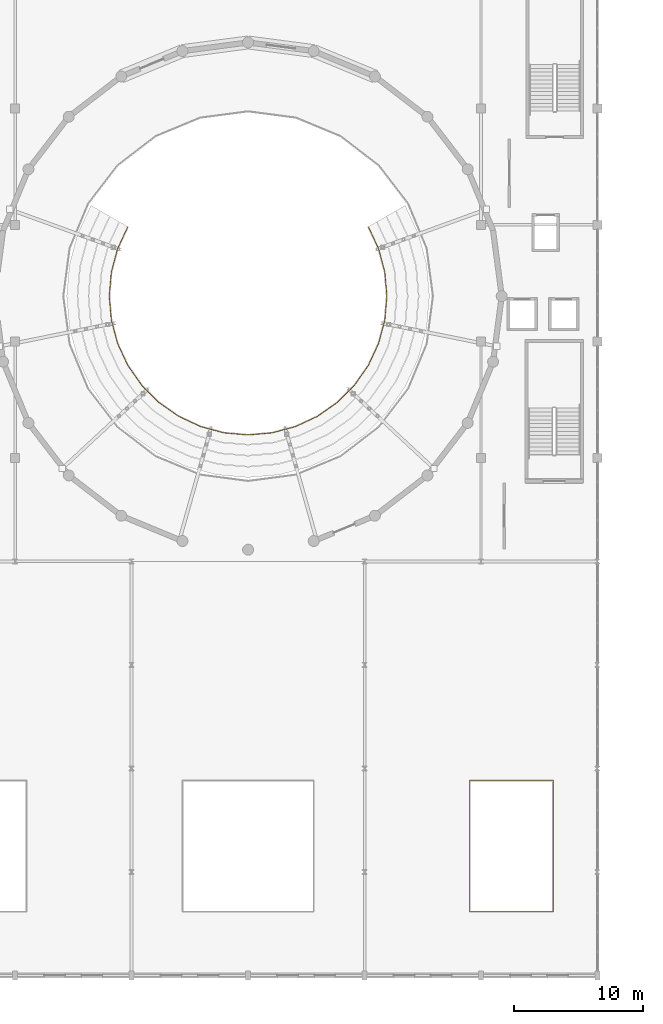
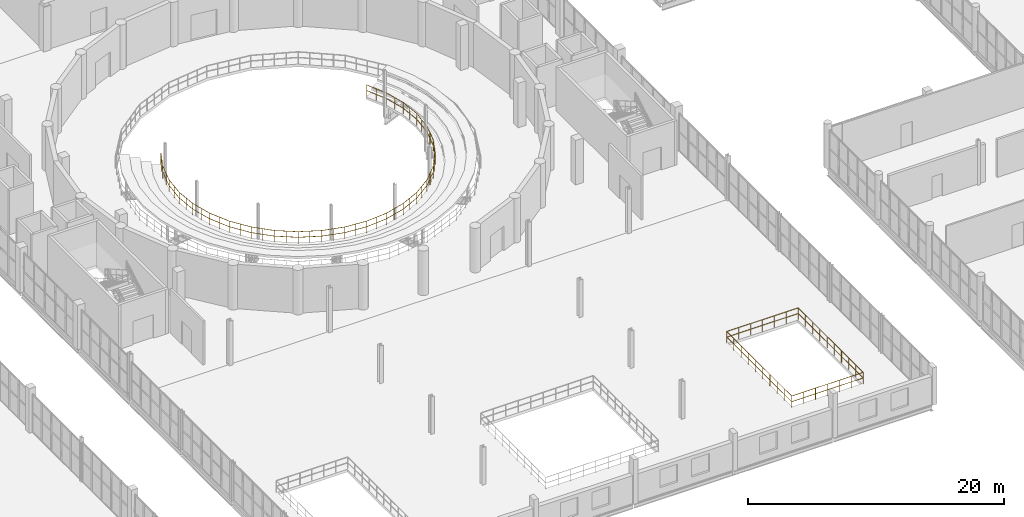
# One storey, part 67 of 73: 2 railings.
"""IFC4 building model written with IfcOpenShell, lengths in metres."""

from ifc_helpers import new_model, si_unit, direction, frame, origin, origin_2d, place, context, subcontext, project, spatial, circle, extrude, material, type_object, element, save


model = new_model("IFC4")

# Units and contexts
model_context = context("Model", 3, precision=1e-05, world=origin(), true_north=direction((0.0, 1.0)))
body_context = subcontext(model_context, "Body", "Model", "MODEL_VIEW")
ifc_project = project(units=[si_unit("LENGTHUNIT", "METRE"), si_unit("AREAUNIT", "SQUARE_METRE"), si_unit("VOLUMEUNIT", "CUBIC_METRE"), si_unit("PLANEANGLEUNIT", "RADIAN"), si_unit("MASSUNIT", "GRAM", prefix="KILO")], contexts=[model_context])

# Site, building, storey
site_placement = place(None, origin())
site = spatial("IfcSite", under=ifc_project, at=site_placement, CompositionType="ELEMENT")
building_placement = place(site_placement, origin())
building = spatial("IfcBuilding", under=site, at=building_placement, Name="Marnock Terrace Opera House", CompositionType="ELEMENT")
storey_placement = place(building_placement, frame((0.0, 0.0, 14.699951171875)))
storey = spatial("IfcBuildingStorey", under=building, at=storey_placement, Name="L03", CompositionType="ELEMENT", Elevation=14.699951171875)

# Railings
ifc_material = material(Name="Architectural bronze balustrade")
railing_type = type_object("IfcRailingType", Name="RL-ATRIUM-1120", PredefinedType="BALUSTRADE", material=ifc_material)
railing_1_placement = place(storey_placement, frame((99.1201171875, 12.919921875, 0.0)))
element("IfcRailing", 1, at=railing_1_placement, inside=storey, type_object=railing_type, Name="L03 floor opening balustrade ATR-3", PredefinedType="BALUSTRADE", context=body_context, shape_type="SweptSolid", body=[
    extrude(circle(Radius=0.02392578125, at=origin_2d()), frame((0.0, 0.0, 1.09619140625), z_axis=(1.0, 0.0, 0.0), x_axis=(0.0, 1.0, 0.0)), (0.0, 0.0, 1.0), 6.4599609375),
    extrude(circle(Radius=0.02392578125, at=origin_2d()), frame((0.0, 0.0, 0.56005859375), z_axis=(1.0, 0.0, 0.0), x_axis=(0.0, 1.0, 0.0)), (0.0, 0.0, 1.0), 6.4599609375),
    extrude(circle(Radius=0.02392578125, at=origin_2d()), frame((6.4599609375, 0.0, 1.09619140625), z_axis=(0.0, 1.0, 0.0), x_axis=(-1.0, 0.0, 0.0)), (0.0, 0.0, 1.0), 10.16015625),
    extrude(circle(Radius=0.02392578125, at=origin_2d()), frame((6.4599609375, 0.0, 0.56005859375), z_axis=(0.0, 1.0, 0.0), x_axis=(-1.0, 0.0, 0.0)), (0.0, 0.0, 1.0), 10.16015625),
    extrude(circle(Radius=0.02392578125, at=origin_2d()), frame((6.4599609375, 10.16015625, 1.09619140625), z_axis=(-1.0, 0.0, 0.0), x_axis=(0.0, -1.0, 0.0)), (0.0, 0.0, 1.0), 6.4599609375),
    extrude(circle(Radius=0.02392578125, at=origin_2d()), frame((6.4599609375, 10.16015625, 0.56005859375), z_axis=(-1.0, 0.0, 0.0), x_axis=(0.0, -1.0, 0.0)), (0.0, 0.0, 1.0), 6.4599609375),
    extrude(circle(Radius=0.02392578125, at=origin_2d()), frame((0.0, 10.16015625, 1.09619140625), z_axis=(0.0, -1.0, 0.0), x_axis=(1.0, 0.0, 0.0)), (0.0, 0.0, 1.0), 10.16015625),
    extrude(circle(Radius=0.02392578125, at=origin_2d()), frame((0.0, 10.16015625, 0.56005859375), z_axis=(0.0, -1.0, 0.0), x_axis=(1.0, 0.0, 0.0)), (0.0, 0.0, 1.0), 10.16015625),
    extrude(circle(Radius=0.02099609375, at=origin_2d()), origin(), (0.0, 0.0, 1.0), 1.072021484375),
    extrude(circle(Radius=0.02099609375, at=origin_2d()), frame((1.07666015625, 0.0, 0.0)), (0.0, 0.0, 1.0), 1.072021484375),
    extrude(circle(Radius=0.02099609375, at=origin_2d()), frame((2.1533203125, 0.0, 0.0)), (0.0, 0.0, 1.0), 1.072021484375),
    extrude(circle(Radius=0.02099609375, at=origin_2d()), frame((3.22998046875, 0.0, 0.0)), (0.0, 0.0, 1.0), 1.072021484375),
    extrude(circle(Radius=0.02099609375, at=origin_2d()), frame((4.306640625, 0.0, 0.0)), (0.0, 0.0, 1.0), 1.072021484375),
    extrude(circle(Radius=0.02099609375, at=origin_2d()), frame((5.38330078125, 0.0, 0.0)), (0.0, 0.0, 1.0), 1.072021484375),
    extrude(circle(Radius=0.02099609375, at=origin_2d()), frame((6.4599609375, 0.0, 0.0)), (0.0, 0.0, 1.0), 1.072021484375),
    extrude(circle(Radius=0.02099609375, at=origin_2d()), frame((6.4599609375, 1.12890625, 0.0)), (0.0, 0.0, 1.0), 1.072021484375),
    extrude(circle(Radius=0.02099609375, at=origin_2d()), frame((6.4599609375, 2.2578125, 0.0)), (0.0, 0.0, 1.0), 1.072021484375),
    extrude(circle(Radius=0.02099609375, at=origin_2d()), frame((6.4599609375, 3.38671875, 0.0)), (0.0, 0.0, 1.0), 1.072021484375),
    extrude(circle(Radius=0.02099609375, at=origin_2d()), frame((6.4599609375, 4.515625, 0.0)), (0.0, 0.0, 1.0), 1.072021484375),
    extrude(circle(Radius=0.02099609375, at=origin_2d()), frame((6.4599609375, 5.64453125, 0.0)), (0.0, 0.0, 1.0), 1.072021484375),
    extrude(circle(Radius=0.02099609375, at=origin_2d()), frame((6.4599609375, 6.7734375, 0.0)), (0.0, 0.0, 1.0), 1.072021484375),
    extrude(circle(Radius=0.02099609375, at=origin_2d()), frame((6.4599609375, 7.90234375, 0.0)), (0.0, 0.0, 1.0), 1.072021484375),
    extrude(circle(Radius=0.02099609375, at=origin_2d()), frame((6.4599609375, 9.03125, 0.0)), (0.0, 0.0, 1.0), 1.072021484375),
    extrude(circle(Radius=0.02099609375, at=origin_2d()), frame((6.4599609375, 10.16015625, 0.0)), (0.0, 0.0, 1.0), 1.072021484375),
    extrude(circle(Radius=0.02099609375, at=origin_2d()), frame((5.38330078125, 10.16015625, 0.0)), (0.0, 0.0, 1.0), 1.072021484375),
    extrude(circle(Radius=0.02099609375, at=origin_2d()), frame((4.306640625, 10.16015625, 0.0)), (0.0, 0.0, 1.0), 1.072021484375),
    extrude(circle(Radius=0.02099609375, at=origin_2d()), frame((3.22998046875, 10.16015625, 0.0)), (0.0, 0.0, 1.0), 1.072021484375),
    extrude(circle(Radius=0.02099609375, at=origin_2d()), frame((2.1533203125, 10.16015625, 0.0)), (0.0, 0.0, 1.0), 1.072021484375),
    extrude(circle(Radius=0.02099609375, at=origin_2d()), frame((1.07666015625, 10.16015625, 0.0)), (0.0, 0.0, 1.0), 1.072021484375),
    extrude(circle(Radius=0.02099609375, at=origin_2d()), frame((0.0, 10.16015625, 0.0)), (0.0, 0.0, 1.0), 1.072021484375),
    extrude(circle(Radius=0.02099609375, at=origin_2d()), frame((0.0, 9.03125, 0.0)), (0.0, 0.0, 1.0), 1.072021484375),
    extrude(circle(Radius=0.02099609375, at=origin_2d()), frame((0.0, 7.90234375, 0.0)), (0.0, 0.0, 1.0), 1.072021484375),
    extrude(circle(Radius=0.02099609375, at=origin_2d()), frame((0.0, 6.7734375, 0.0)), (0.0, 0.0, 1.0), 1.072021484375),
    extrude(circle(Radius=0.02099609375, at=origin_2d()), frame((0.0, 5.64453125, 0.0)), (0.0, 0.0, 1.0), 1.072021484375),
    extrude(circle(Radius=0.02099609375, at=origin_2d()), frame((0.0, 4.515625, 0.0)), (0.0, 0.0, 1.0), 1.072021484375),
    extrude(circle(Radius=0.02099609375, at=origin_2d()), frame((0.0, 3.38671875, 0.0)), (0.0, 0.0, 1.0), 1.072021484375),
    extrude(circle(Radius=0.02099609375, at=origin_2d()), frame((0.0, 2.2578125, 0.0)), (0.0, 0.0, 1.0), 1.072021484375),
    extrude(circle(Radius=0.02099609375, at=origin_2d()), frame((0.0, 1.12890625, 0.0)), (0.0, 0.0, 1.0), 1.072021484375),
])
railing_2_placement = place(storey_placement, frame((72.70751953125, 65.864990234375, 0.35009765625)))
element("IfcRailing", 2, at=railing_2_placement, inside=storey, type_object=railing_type, Name="L03 floor opening balustrade TIER-FRONT-L03", PredefinedType="BALUSTRADE", context=body_context, shape_type="SweptSolid", body=[
    extrude(circle(Radius=0.02392578125, at=origin_2d()), frame((0.0, 0.0, 1.09619140625), z_axis=(-0.422663928723, -0.906286490773, 0.0), x_axis=(0.906286490773, -0.422663928723, 0.0)), (0.0, 0.0, 1.0), 1.870361328125),
    extrude(circle(Radius=0.02392578125, at=origin_2d()), frame((0.0, 0.0, 0.56005859375), z_axis=(-0.422663928723, -0.906286490773, 0.0), x_axis=(0.906286490773, -0.422663928723, 0.0)), (0.0, 0.0, 1.0), 1.870361328125),
    extrude(circle(Radius=0.02392578125, at=origin_2d()), frame((-0.79052734375, -1.695068359375, 1.09619140625), z_axis=(-0.258718685807, -0.965952711893, 0.0), x_axis=(0.965952711893, -0.258718685807, 0.0)), (0.0, 0.0, 1.0), 1.870361328125),
    extrude(circle(Radius=0.02392578125, at=origin_2d()), frame((-0.79052734375, -1.695068359375, 0.56005859375), z_axis=(-0.258718685807, -0.965952711893, 0.0), x_axis=(0.965952711893, -0.258718685807, 0.0)), (0.0, 0.0, 1.0), 1.870361328125),
    extrude(circle(Radius=0.02392578125, at=origin_2d()), frame((-1.2744140625, -3.501708984375, 1.09619140625), z_axis=(-0.087192857545, -0.996191450271, 0.0), x_axis=(0.996191450271, -0.087192857545, 0.0)), (0.0, 0.0, 1.0), 1.870361328125),
    extrude(circle(Radius=0.02392578125, at=origin_2d()), frame((-1.2744140625, -3.501708984375, 0.56005859375), z_axis=(-0.087192857545, -0.996191450271, 0.0), x_axis=(0.996191450271, -0.087192857545, 0.0)), (0.0, 0.0, 1.0), 1.870361328125),
    extrude(circle(Radius=0.02392578125, at=origin_2d()), frame((-1.4375, -5.364990234375, 1.09619140625), z_axis=(0.087192857545, -0.996191450271, 0.0), x_axis=(0.996191450271, 0.087192857545, 0.0)), (0.0, 0.0, 1.0), 1.870361328125),
    extrude(circle(Radius=0.02392578125, at=origin_2d()), frame((-1.4375, -5.364990234375, 0.56005859375), z_axis=(0.087192857545, -0.996191450271, 0.0), x_axis=(0.996191450271, 0.087192857545, 0.0)), (0.0, 0.0, 1.0), 1.870361328125),
    extrude(circle(Radius=0.02392578125, at=origin_2d()), frame((-1.2744140625, -7.228271484375, 1.09619140625), z_axis=(0.258718685807, -0.965952711893, 0.0), x_axis=(0.965952711893, 0.258718685807, 0.0)), (0.0, 0.0, 1.0), 1.870361328125),
    extrude(circle(Radius=0.02392578125, at=origin_2d()), frame((-1.2744140625, -7.228271484375, 0.56005859375), z_axis=(0.258718685807, -0.965952711893, 0.0), x_axis=(0.965952711893, 0.258718685807, 0.0)), (0.0, 0.0, 1.0), 1.870361328125),
    extrude(circle(Radius=0.02392578125, at=origin_2d()), frame((-0.79052734375, -9.034912109375, 1.09619140625), z_axis=(0.422663928723, -0.906286490773, 0.0), x_axis=(0.906286490773, 0.422663928723, 0.0)), (0.0, 0.0, 1.0), 1.870361328125),
    extrude(circle(Radius=0.02392578125, at=origin_2d()), frame((-0.79052734375, -9.034912109375, 0.56005859375), z_axis=(0.422663928723, -0.906286490773, 0.0), x_axis=(0.906286490773, 0.422663928723, 0.0)), (0.0, 0.0, 1.0), 1.870361328125),
    extrude(circle(Radius=0.02392578125, at=origin_2d()), frame((0.0, -10.72998046875, 1.09619140625), z_axis=(0.573532423483, -0.819182860669, 0.0), x_axis=(0.819182860669, 0.573532423483, 0.0)), (0.0, 0.0, 1.0), 1.870361328125),
    extrude(circle(Radius=0.02392578125, at=origin_2d()), frame((0.0, -10.72998046875, 0.56005859375), z_axis=(0.573532423483, -0.819182860669, 0.0), x_axis=(0.819182860669, 0.573532423483, 0.0)), (0.0, 0.0, 1.0), 1.870361328125),
    extrude(circle(Radius=0.02392578125, at=origin_2d()), frame((1.07275390625, -12.26220703125, 1.09619140625), z_axis=(0.707106781187, -0.707106781187, 0.0), x_axis=(0.707106781187, 0.707106781187, 0.0)), (0.0, 0.0, 1.0), 1.870361328125),
    extrude(circle(Radius=0.02392578125, at=origin_2d()), frame((1.07275390625, -12.26220703125, 0.56005859375), z_axis=(0.707106781187, -0.707106781187, 0.0), x_axis=(0.707106781187, 0.707106781187, 0.0)), (0.0, 0.0, 1.0), 1.870361328125),
    extrude(circle(Radius=0.02392578125, at=origin_2d()), frame((2.395263671875, -13.584716796875, 1.09619140625), z_axis=(0.819182860669, -0.573532423483, 0.0), x_axis=(0.573532423483, 0.819182860669, 0.0)), (0.0, 0.0, 1.0), 1.870361328125),
    extrude(circle(Radius=0.02392578125, at=origin_2d()), frame((2.395263671875, -13.584716796875, 0.56005859375), z_axis=(0.819182860669, -0.573532423483, 0.0), x_axis=(0.573532423483, 0.819182860669, 0.0)), (0.0, 0.0, 1.0), 1.870361328125),
    extrude(circle(Radius=0.02392578125, at=origin_2d()), frame((3.927490234375, -14.657470703125, 1.09619140625), z_axis=(0.906286490773, -0.422663928723, 0.0), x_axis=(0.422663928723, 0.906286490773, 0.0)), (0.0, 0.0, 1.0), 1.870361328125),
    extrude(circle(Radius=0.02392578125, at=origin_2d()), frame((3.927490234375, -14.657470703125, 0.56005859375), z_axis=(0.906286490773, -0.422663928723, 0.0), x_axis=(0.422663928723, 0.906286490773, 0.0)), (0.0, 0.0, 1.0), 1.870361328125),
    extrude(circle(Radius=0.02392578125, at=origin_2d()), frame((5.62255859375, -15.447998046875, 1.09619140625), z_axis=(0.965952711893, -0.258718685807, 0.0), x_axis=(0.258718685807, 0.965952711893, 0.0)), (0.0, 0.0, 1.0), 1.870361328125),
    extrude(circle(Radius=0.02392578125, at=origin_2d()), frame((5.62255859375, -15.447998046875, 0.56005859375), z_axis=(0.965952711893, -0.258718685807, 0.0), x_axis=(0.258718685807, 0.965952711893, 0.0)), (0.0, 0.0, 1.0), 1.870361328125),
    extrude(circle(Radius=0.02392578125, at=origin_2d()), frame((7.42919921875, -15.931884765625, 1.09619140625), z_axis=(0.996191450271, -0.087192857545, 0.0), x_axis=(0.087192857545, 0.996191450271, 0.0)), (0.0, 0.0, 1.0), 1.870361328125),
    extrude(circle(Radius=0.02392578125, at=origin_2d()), frame((7.42919921875, -15.931884765625, 0.56005859375), z_axis=(0.996191450271, -0.087192857545, 0.0), x_axis=(0.087192857545, 0.996191450271, 0.0)), (0.0, 0.0, 1.0), 1.870361328125),
    extrude(circle(Radius=0.02392578125, at=origin_2d()), frame((9.29248046875, -16.094970703125, 1.09619140625), z_axis=(0.996191450271, 0.087192857545, 0.0), x_axis=(-0.087192857545, 0.996191450271, 0.0)), (0.0, 0.0, 1.0), 1.870361328125),
    extrude(circle(Radius=0.02392578125, at=origin_2d()), frame((9.29248046875, -16.094970703125, 0.56005859375), z_axis=(0.996191450271, 0.087192857545, 0.0), x_axis=(-0.087192857545, 0.996191450271, 0.0)), (0.0, 0.0, 1.0), 1.870361328125),
    extrude(circle(Radius=0.02392578125, at=origin_2d()), frame((11.15576171875, -15.931884765625, 1.09619140625), z_axis=(0.965952711893, 0.258718685807, 0.0), x_axis=(-0.258718685807, 0.965952711893, 0.0)), (0.0, 0.0, 1.0), 1.870361328125),
    extrude(circle(Radius=0.02392578125, at=origin_2d()), frame((11.15576171875, -15.931884765625, 0.56005859375), z_axis=(0.965952711893, 0.258718685807, 0.0), x_axis=(-0.258718685807, 0.965952711893, 0.0)), (0.0, 0.0, 1.0), 1.870361328125),
    extrude(circle(Radius=0.02392578125, at=origin_2d()), frame((12.96240234375, -15.447998046875, 1.09619140625), z_axis=(0.906286490773, 0.422663928723, 0.0), x_axis=(-0.422663928723, 0.906286490773, 0.0)), (0.0, 0.0, 1.0), 1.870361328125),
    extrude(circle(Radius=0.02392578125, at=origin_2d()), frame((12.96240234375, -15.447998046875, 0.56005859375), z_axis=(0.906286490773, 0.422663928723, 0.0), x_axis=(-0.422663928723, 0.906286490773, 0.0)), (0.0, 0.0, 1.0), 1.870361328125),
    extrude(circle(Radius=0.02392578125, at=origin_2d()), frame((14.657470703125, -14.657470703125, 1.09619140625), z_axis=(0.819182860669, 0.573532423483, 0.0), x_axis=(-0.573532423483, 0.819182860669, 0.0)), (0.0, 0.0, 1.0), 1.870361328125),
    extrude(circle(Radius=0.02392578125, at=origin_2d()), frame((14.657470703125, -14.657470703125, 0.56005859375), z_axis=(0.819182860669, 0.573532423483, 0.0), x_axis=(-0.573532423483, 0.819182860669, 0.0)), (0.0, 0.0, 1.0), 1.870361328125),
    extrude(circle(Radius=0.02392578125, at=origin_2d()), frame((16.189697265625, -13.584716796875, 1.09619140625), z_axis=(0.707106781187, 0.707106781187, 0.0), x_axis=(-0.707106781187, 0.707106781187, 0.0)), (0.0, 0.0, 1.0), 1.870361328125),
    extrude(circle(Radius=0.02392578125, at=origin_2d()), frame((16.189697265625, -13.584716796875, 0.56005859375), z_axis=(0.707106781187, 0.707106781187, 0.0), x_axis=(-0.707106781187, 0.707106781187, 0.0)), (0.0, 0.0, 1.0), 1.870361328125),
    extrude(circle(Radius=0.02392578125, at=origin_2d()), frame((17.51220703125, -12.26220703125, 1.09619140625), z_axis=(0.573532423483, 0.819182860669, 0.0), x_axis=(-0.819182860669, 0.573532423483, 0.0)), (0.0, 0.0, 1.0), 1.870361328125),
    extrude(circle(Radius=0.02392578125, at=origin_2d()), frame((17.51220703125, -12.26220703125, 0.56005859375), z_axis=(0.573532423483, 0.819182860669, 0.0), x_axis=(-0.819182860669, 0.573532423483, 0.0)), (0.0, 0.0, 1.0), 1.870361328125),
    extrude(circle(Radius=0.02392578125, at=origin_2d()), frame((18.5849609375, -10.72998046875, 1.09619140625), z_axis=(0.422663928723, 0.906286490773, 0.0), x_axis=(-0.906286490773, 0.422663928723, 0.0)), (0.0, 0.0, 1.0), 1.870361328125),
    extrude(circle(Radius=0.02392578125, at=origin_2d()), frame((18.5849609375, -10.72998046875, 0.56005859375), z_axis=(0.422663928723, 0.906286490773, 0.0), x_axis=(-0.906286490773, 0.422663928723, 0.0)), (0.0, 0.0, 1.0), 1.870361328125),
    extrude(circle(Radius=0.02392578125, at=origin_2d()), frame((19.37548828125, -9.034912109375, 1.09619140625), z_axis=(0.258718685807, 0.965952711893, 0.0), x_axis=(-0.965952711893, 0.258718685807, 0.0)), (0.0, 0.0, 1.0), 1.870361328125),
    extrude(circle(Radius=0.02392578125, at=origin_2d()), frame((19.37548828125, -9.034912109375, 0.56005859375), z_axis=(0.258718685807, 0.965952711893, 0.0), x_axis=(-0.965952711893, 0.258718685807, 0.0)), (0.0, 0.0, 1.0), 1.870361328125),
    extrude(circle(Radius=0.02392578125, at=origin_2d()), frame((19.859375, -7.228271484375, 1.09619140625), z_axis=(0.087192857545, 0.996191450271, 0.0), x_axis=(-0.996191450271, 0.087192857545, 0.0)), (0.0, 0.0, 1.0), 1.870361328125),
    extrude(circle(Radius=0.02392578125, at=origin_2d()), frame((19.859375, -7.228271484375, 0.56005859375), z_axis=(0.087192857545, 0.996191450271, 0.0), x_axis=(-0.996191450271, 0.087192857545, 0.0)), (0.0, 0.0, 1.0), 1.870361328125),
    extrude(circle(Radius=0.02392578125, at=origin_2d()), frame((20.0224609375, -5.364990234375, 1.09619140625), z_axis=(-0.087192857545, 0.996191450271, 0.0), x_axis=(-0.996191450271, -0.087192857545, 0.0)), (0.0, 0.0, 1.0), 1.870361328125),
    extrude(circle(Radius=0.02392578125, at=origin_2d()), frame((20.0224609375, -5.364990234375, 0.56005859375), z_axis=(-0.087192857545, 0.996191450271, 0.0), x_axis=(-0.996191450271, -0.087192857545, 0.0)), (0.0, 0.0, 1.0), 1.870361328125),
    extrude(circle(Radius=0.02392578125, at=origin_2d()), frame((19.859375, -3.501708984375, 1.09619140625), z_axis=(-0.258718685807, 0.965952711893, 0.0), x_axis=(-0.965952711893, -0.258718685807, 0.0)), (0.0, 0.0, 1.0), 1.870361328125),
    extrude(circle(Radius=0.02392578125, at=origin_2d()), frame((19.859375, -3.501708984375, 0.56005859375), z_axis=(-0.258718685807, 0.965952711893, 0.0), x_axis=(-0.965952711893, -0.258718685807, 0.0)), (0.0, 0.0, 1.0), 1.870361328125),
    extrude(circle(Radius=0.02392578125, at=origin_2d()), frame((19.37548828125, -1.695068359375, 1.09619140625), z_axis=(-0.422663928723, 0.906286490773, 0.0), x_axis=(-0.906286490773, -0.422663928723, 0.0)), (0.0, 0.0, 1.0), 1.870361328125),
    extrude(circle(Radius=0.02392578125, at=origin_2d()), frame((19.37548828125, -1.695068359375, 0.56005859375), z_axis=(-0.422663928723, 0.906286490773, 0.0), x_axis=(-0.906286490773, -0.422663928723, 0.0)), (0.0, 0.0, 1.0), 1.870361328125),
    extrude(circle(Radius=0.02099609375, at=origin_2d()), origin(), (0.0, 0.0, 1.0), 1.072021484375),
    extrude(circle(Radius=0.02099609375, at=origin_2d()), frame((-0.395263671875, -0.84765625, 0.0)), (0.0, 0.0, 1.0), 1.072021484375),
    extrude(circle(Radius=0.02099609375, at=origin_2d()), frame((-0.79052734375, -1.695068359375, 0.0)), (0.0, 0.0, 1.0), 1.072021484375),
    extrude(circle(Radius=0.02099609375, at=origin_2d()), frame((-1.032470703125, -2.598388671875, 0.0)), (0.0, 0.0, 1.0), 1.072021484375),
    extrude(circle(Radius=0.02099609375, at=origin_2d()), frame((-1.2744140625, -3.501708984375, 0.0)), (0.0, 0.0, 1.0), 1.072021484375),
    extrude(circle(Radius=0.02099609375, at=origin_2d()), frame((-1.35595703125, -4.433349609375, 0.0)), (0.0, 0.0, 1.0), 1.072021484375),
    extrude(circle(Radius=0.02099609375, at=origin_2d()), frame((-1.4375, -5.364990234375, 0.0)), (0.0, 0.0, 1.0), 1.072021484375),
    extrude(circle(Radius=0.02099609375, at=origin_2d()), frame((-1.35595703125, -6.296630859375, 0.0)), (0.0, 0.0, 1.0), 1.072021484375),
    extrude(circle(Radius=0.02099609375, at=origin_2d()), frame((-1.2744140625, -7.228271484375, 0.0)), (0.0, 0.0, 1.0), 1.072021484375),
    extrude(circle(Radius=0.02099609375, at=origin_2d()), frame((-1.032470703125, -8.131591796875, 0.0)), (0.0, 0.0, 1.0), 1.072021484375),
    extrude(circle(Radius=0.02099609375, at=origin_2d()), frame((-0.79052734375, -9.034912109375, 0.0)), (0.0, 0.0, 1.0), 1.072021484375),
    extrude(circle(Radius=0.02099609375, at=origin_2d()), frame((-0.395263671875, -9.88232421875, 0.0)), (0.0, 0.0, 1.0), 1.072021484375),
    extrude(circle(Radius=0.02099609375, at=origin_2d()), frame((0.0, -10.72998046875, 0.0)), (0.0, 0.0, 1.0), 1.072021484375),
    extrude(circle(Radius=0.02099609375, at=origin_2d()), frame((0.536376953125, -11.49609375, 0.0)), (0.0, 0.0, 1.0), 1.072021484375),
    extrude(circle(Radius=0.02099609375, at=origin_2d()), frame((1.07275390625, -12.26220703125, 0.0)), (0.0, 0.0, 1.0), 1.072021484375),
    extrude(circle(Radius=0.02099609375, at=origin_2d()), frame((1.73388671875, -12.92333984375, 0.0)), (0.0, 0.0, 1.0), 1.072021484375),
    extrude(circle(Radius=0.02099609375, at=origin_2d()), frame((2.395263671875, -13.584716796875, 0.0)), (0.0, 0.0, 1.0), 1.072021484375),
    extrude(circle(Radius=0.02099609375, at=origin_2d()), frame((3.161376953125, -14.12109375, 0.0)), (0.0, 0.0, 1.0), 1.072021484375),
    extrude(circle(Radius=0.02099609375, at=origin_2d()), frame((3.927490234375, -14.657470703125, 0.0)), (0.0, 0.0, 1.0), 1.072021484375),
    extrude(circle(Radius=0.02099609375, at=origin_2d()), frame((4.77490234375, -15.052734375, 0.0)), (0.0, 0.0, 1.0), 1.072021484375),
    extrude(circle(Radius=0.02099609375, at=origin_2d()), frame((5.62255859375, -15.447998046875, 0.0)), (0.0, 0.0, 1.0), 1.072021484375),
    extrude(circle(Radius=0.02099609375, at=origin_2d()), frame((6.52587890625, -15.68994140625, 0.0)), (0.0, 0.0, 1.0), 1.072021484375),
    extrude(circle(Radius=0.02099609375, at=origin_2d()), frame((7.42919921875, -15.931884765625, 0.0)), (0.0, 0.0, 1.0), 1.072021484375),
    extrude(circle(Radius=0.02099609375, at=origin_2d()), frame((8.36083984375, -16.013427734375, 0.0)), (0.0, 0.0, 1.0), 1.072021484375),
    extrude(circle(Radius=0.02099609375, at=origin_2d()), frame((9.29248046875, -16.094970703125, 0.0)), (0.0, 0.0, 1.0), 1.072021484375),
    extrude(circle(Radius=0.02099609375, at=origin_2d()), frame((10.22412109375, -16.013427734375, 0.0)), (0.0, 0.0, 1.0), 1.072021484375),
    extrude(circle(Radius=0.02099609375, at=origin_2d()), frame((11.15576171875, -15.931884765625, 0.0)), (0.0, 0.0, 1.0), 1.072021484375),
    extrude(circle(Radius=0.02099609375, at=origin_2d()), frame((12.05908203125, -15.68994140625, 0.0)), (0.0, 0.0, 1.0), 1.072021484375),
    extrude(circle(Radius=0.02099609375, at=origin_2d()), frame((12.96240234375, -15.447998046875, 0.0)), (0.0, 0.0, 1.0), 1.072021484375),
    extrude(circle(Radius=0.02099609375, at=origin_2d()), frame((13.81005859375, -15.052734375, 0.0)), (0.0, 0.0, 1.0), 1.072021484375),
    extrude(circle(Radius=0.02099609375, at=origin_2d()), frame((14.657470703125, -14.657470703125, 0.0)), (0.0, 0.0, 1.0), 1.072021484375),
    extrude(circle(Radius=0.02099609375, at=origin_2d()), frame((15.423583984375, -14.12109375, 0.0)), (0.0, 0.0, 1.0), 1.072021484375),
    extrude(circle(Radius=0.02099609375, at=origin_2d()), frame((16.189697265625, -13.584716796875, 0.0)), (0.0, 0.0, 1.0), 1.072021484375),
    extrude(circle(Radius=0.02099609375, at=origin_2d()), frame((16.85107421875, -12.92333984375, 0.0)), (0.0, 0.0, 1.0), 1.072021484375),
    extrude(circle(Radius=0.02099609375, at=origin_2d()), frame((17.51220703125, -12.26220703125, 0.0)), (0.0, 0.0, 1.0), 1.072021484375),
    extrude(circle(Radius=0.02099609375, at=origin_2d()), frame((18.048583984375, -11.49609375, 0.0)), (0.0, 0.0, 1.0), 1.072021484375),
    extrude(circle(Radius=0.02099609375, at=origin_2d()), frame((18.5849609375, -10.72998046875, 0.0)), (0.0, 0.0, 1.0), 1.072021484375),
    extrude(circle(Radius=0.02099609375, at=origin_2d()), frame((18.980224609375, -9.88232421875, 0.0)), (0.0, 0.0, 1.0), 1.072021484375),
    extrude(circle(Radius=0.02099609375, at=origin_2d()), frame((19.37548828125, -9.034912109375, 0.0)), (0.0, 0.0, 1.0), 1.072021484375),
    extrude(circle(Radius=0.02099609375, at=origin_2d()), frame((19.617431640625, -8.131591796875, 0.0)), (0.0, 0.0, 1.0), 1.072021484375),
    extrude(circle(Radius=0.02099609375, at=origin_2d()), frame((19.859375, -7.228271484375, 0.0)), (0.0, 0.0, 1.0), 1.072021484375),
    extrude(circle(Radius=0.02099609375, at=origin_2d()), frame((19.94091796875, -6.296630859375, 0.0)), (0.0, 0.0, 1.0), 1.072021484375),
    extrude(circle(Radius=0.02099609375, at=origin_2d()), frame((20.0224609375, -5.364990234375, 0.0)), (0.0, 0.0, 1.0), 1.072021484375),
    extrude(circle(Radius=0.02099609375, at=origin_2d()), frame((19.94091796875, -4.433349609375, 0.0)), (0.0, 0.0, 1.0), 1.072021484375),
    extrude(circle(Radius=0.02099609375, at=origin_2d()), frame((19.859375, -3.501708984375, 0.0)), (0.0, 0.0, 1.0), 1.072021484375),
    extrude(circle(Radius=0.02099609375, at=origin_2d()), frame((19.617431640625, -2.598388671875, 0.0)), (0.0, 0.0, 1.0), 1.072021484375),
    extrude(circle(Radius=0.02099609375, at=origin_2d()), frame((19.37548828125, -1.695068359375, 0.0)), (0.0, 0.0, 1.0), 1.072021484375),
    extrude(circle(Radius=0.02099609375, at=origin_2d()), frame((18.980224609375, -0.84765625, 0.0)), (0.0, 0.0, 1.0), 1.072021484375),
    extrude(circle(Radius=0.02099609375, at=origin_2d()), frame((18.5849609375, 0.0, 0.0)), (0.0, 0.0, 1.0), 1.072021484375),
])

save(model, "model.ifc")
